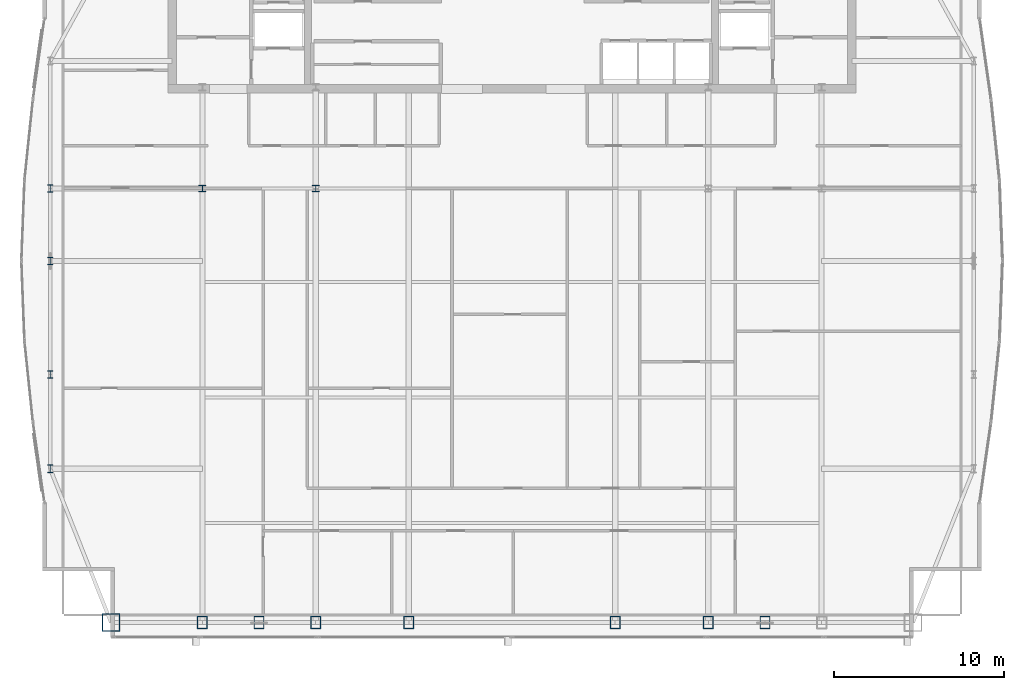
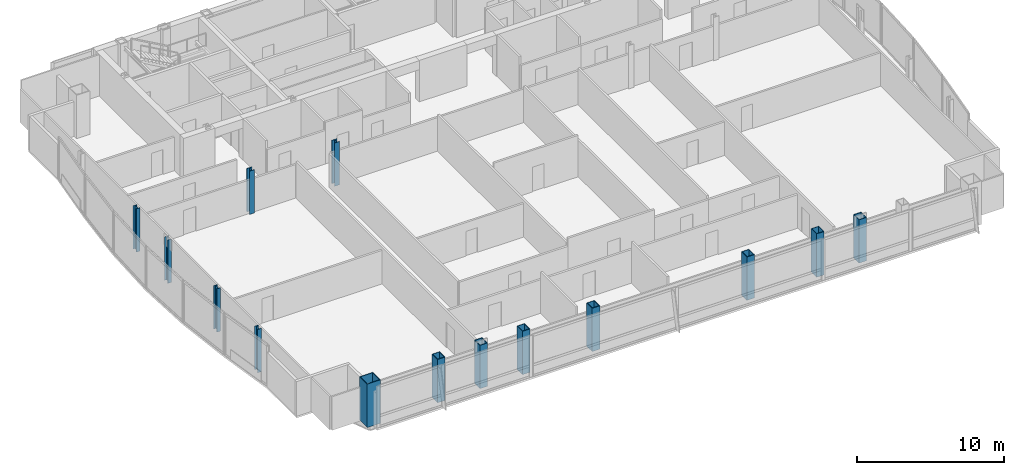
# One storey, part 1 of 30: 14 columns.
"""IFC4 building model written with IfcOpenShell, lengths in metres."""

from ifc_helpers import new_model, si_unit, direction, frame, origin, origin_2d, place, context, subcontext, project, spatial, hollow_rectangle, i_section, extrude, material, material_profile, profile_set, type_object, element, save


model = new_model("IFC4")

# Units and contexts
model_context = context("Model", 3, precision=1e-05, world=origin(), true_north=direction((0.0, 1.0)))
body_context = subcontext(model_context, "Body", "Model", "MODEL_VIEW")
ifc_project = project(units=[si_unit("LENGTHUNIT", "METRE"), si_unit("AREAUNIT", "SQUARE_METRE"), si_unit("VOLUMEUNIT", "CUBIC_METRE"), si_unit("PLANEANGLEUNIT", "RADIAN"), si_unit("MASSUNIT", "GRAM", prefix="KILO")], contexts=[model_context])

# Site, building, storey
site_placement = place(None, origin())
site = spatial("IfcSite", under=ifc_project, at=site_placement, CompositionType="ELEMENT")
building_placement = place(site_placement, origin())
building = spatial("IfcBuilding", under=site, at=building_placement, Name="Khoronbel Lancet Exchange", CompositionType="ELEMENT")
storey_placement = place(building_placement, frame((0.0, 0.0, 280.60009765625)))
storey = spatial("IfcBuildingStorey", under=building, at=storey_placement, Name="L72", CompositionType="ELEMENT", Elevation=280.60009765625)

# Columns
ifc_material_1 = material(Name="Steel S460", Category="steel")
ifc_material_profile_1 = material_profile(ifc_material_1, hollow_rectangle(XDim=0.60009765625, YDim=0.75, WallThickness=0.044921875, at=origin_2d()), Name="BOX 750x600x45")
ifc_profile_set_1 = profile_set([ifc_material_profile_1], Name="Steel S460")
column_type_1 = type_object("IfcColumnType", Name="COL-EC3", PredefinedType="COLUMN", material=ifc_profile_set_1)
for number, where, z_axis, x_axis, name in (
    (1, (18.22509765625, 10.14990234375, 0.0), (0.0, 0.0, 1.0), (1.0, 0.0, 0.0), "Structural column SC-W1 L72"),
    (2, (21.5625, 10.14990234375, 0.0), (0.0, 0.0, 1.0), (1.0, 0.0, 0.0), "Structural column SC-WM L72"),
    (3, (24.89990234375, 10.14990234375, 0.0), (0.0, 0.0, 1.0), (1.0, 0.0, 0.0), "Structural column SC-W2 L72"),
    (4, (30.375, 10.14990234375, 0.0), (0.0, 0.0, 1.0), (1.0, 0.0, 0.0), "Structural column SC-C1 L72"),
    (5, (42.52490234375, 10.14990234375, 0.0), (0.0, 0.0, 1.0), (1.0, 0.0, 0.0), "Structural column SC-C2 L72"),
    (6, (48.0, 10.14990234375, 0.0), (0.0, 0.0, 1.0), (1.0, 0.0, 0.0), "Structural column SC-E1 L72"),
    (7, (51.33740234375, 10.14990234375, 0.0), (0.0, 0.0, 1.0), (1.0, 0.0, 0.0), "Structural column SC-EM L72"),
):
    element("IfcColumn", number, at=place(storey_placement, frame(where, z_axis=z_axis, x_axis=x_axis)), inside=storey, type_object=column_type_1, Name=name, PredefinedType="COLUMN", context=body_context, shape_type="SweptSolid", body=[
        extrude(hollow_rectangle(XDim=0.60009765625, YDim=0.75, WallThickness=0.044921875, at=origin_2d()), origin(), (0.0, 0.0, 1.0), 3.599853515625),
    ])
ifc_material_2 = material(Name="Steel S355", Category="steel")
ifc_material_profile_2 = material_profile(ifc_material_2, i_section(OverallWidth=0.39892578125, OverallDepth=0.39306640625, WebThickness=0.022705078125, FlangeThickness=0.03662109375, at=origin_2d()), Name="HD 400x287")
ifc_profile_set_2 = profile_set([ifc_material_profile_2], Name="Steel S355")
column_type_2 = type_object("IfcColumnType", Name="COL-IC4", PredefinedType="COLUMN", material=ifc_profile_set_2)
for number, where, z_axis, x_axis, name in (
    (8, (18.22509765625, 35.699951171875, 0.0), (0.0, 0.0, 1.0), (1.0, 0.0, 0.0), "Spine gravity column TC1 L72"),
    (9, (24.89990234375, 35.699951171875, 0.0), (0.0, 0.0, 1.0), (1.0, 0.0, 0.0), "Spine gravity column TC2 L72"),
):
    element("IfcColumn", number, at=place(storey_placement, frame(where, z_axis=z_axis, x_axis=x_axis)), inside=storey, type_object=column_type_2, Name=name, PredefinedType="COLUMN", context=body_context, shape_type="SweptSolid", body=[
        extrude(i_section(OverallWidth=0.39892578125, OverallDepth=0.39306640625, WebThickness=0.022705078125, FlangeThickness=0.03662109375, at=origin_2d()), origin(), (0.0, 0.0, 1.0), 3.599853515625),
    ])
ifc_material_profile_3 = material_profile(ifc_material_2, i_section(OverallWidth=0.300048828125, OverallDepth=0.449951171875, WebThickness=0.013916015625, FlangeThickness=0.02587890625, at=origin_2d()), Name="HEB 450")
ifc_profile_set_3 = profile_set([ifc_material_profile_3], Name="Steel S355")
column_type_3 = type_object("IfcColumnType", Name="COL-LC2", PredefinedType="COLUMN", material=ifc_profile_set_3)
for number, where, z_axis, x_axis, name in (
    (10, (9.27001953125, 19.199951171875, 0.0), (0.0, 0.0, 1.0), (1.0, 0.0, 0.0), "Structural column WC-1 L72"),
    (11, (9.27001953125, 24.75, 0.0), (0.0, 0.0, 1.0), (1.0, 0.0, 0.0), "Structural column WC-2 L72"),
    (12, (9.27001953125, 31.425048828125, 0.0), (0.0, 0.0, 1.0), (1.0, 0.0, 0.0), "Structural column WC-M L72"),
    (13, (9.27001953125, 35.699951171875, 0.0), (0.0, 0.0, 1.0), (1.0, 0.0, 0.0), "Structural column WC-3 L72"),
):
    element("IfcColumn", number, at=place(storey_placement, frame(where, z_axis=z_axis, x_axis=x_axis)), inside=storey, type_object=column_type_3, Name=name, PredefinedType="COLUMN", context=body_context, shape_type="SweptSolid", body=[
        extrude(i_section(OverallWidth=0.300048828125, OverallDepth=0.449951171875, WebThickness=0.013916015625, FlangeThickness=0.02587890625, at=origin_2d()), origin(), (0.0, 0.0, 1.0), 3.599853515625),
    ])
ifc_material_profile_4 = material_profile(ifc_material_1, hollow_rectangle(XDim=1.050048828125, YDim=1.050048828125, WallThickness=0.054931640625, at=origin_2d()), Name="BOX 1050x1050x55")
ifc_profile_set_4 = profile_set([ifc_material_profile_4], Name="Steel S460")
column_type_4 = type_object("IfcColumnType", Name="COL-MC6", PredefinedType="COLUMN", material=ifc_profile_set_4)
column_placement = place(storey_placement, frame((12.85009765625, 10.14990234375, 0.0), z_axis=(0.0, 0.0, 1.0), x_axis=(1.0, 0.0, 0.0)))
element("IfcColumn", 14, at=column_placement, inside=storey, type_object=column_type_4, Name="Structural column MC-SW L72", PredefinedType="COLUMN", context=body_context, shape_type="SweptSolid", body=[
    extrude(hollow_rectangle(XDim=1.050048828125, YDim=1.050048828125, WallThickness=0.054931640625, at=origin_2d()), origin(), (0.0, 0.0, 1.0), 3.599853515625),
])

save(model, "model.ifc")
